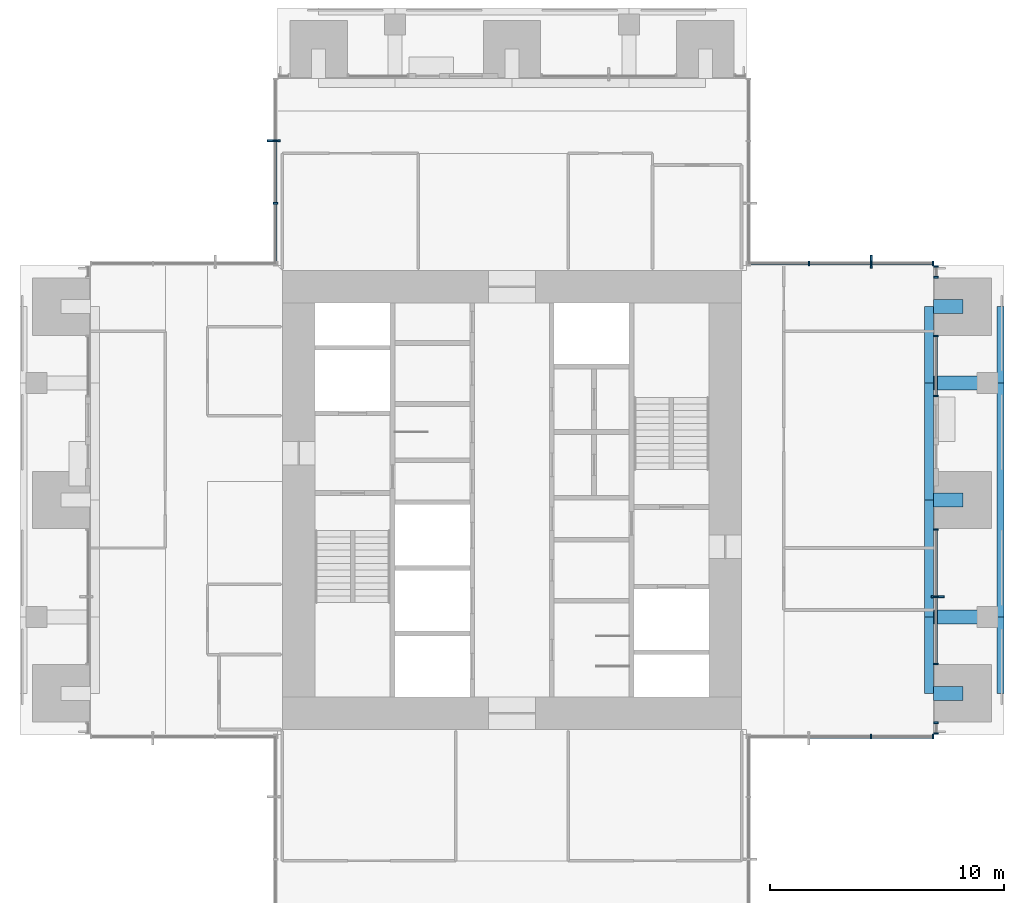
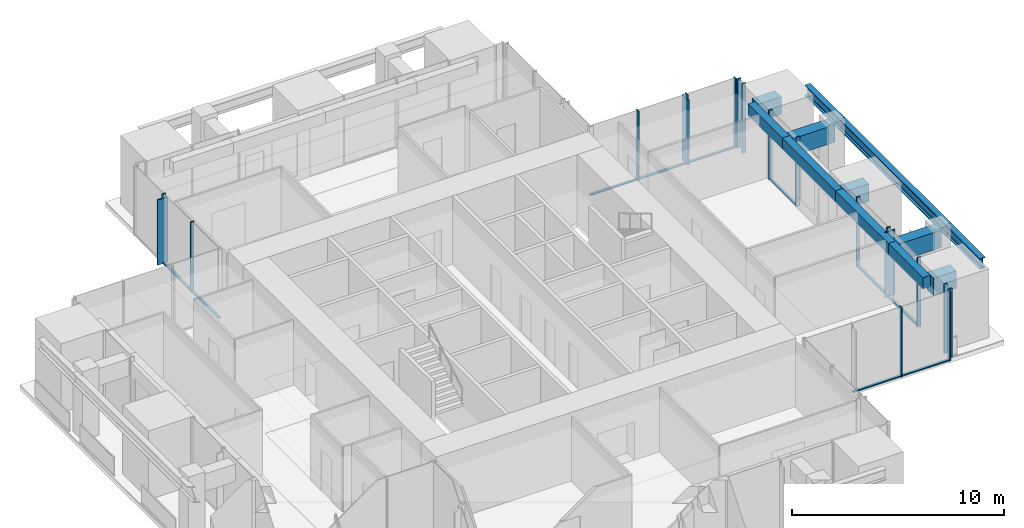
# One storey, part 4 of 17: 29 members, 12 beams, 7 elements without a shape of their own.
"""IFC4 building model written with IfcOpenShell, lengths in metres."""

from ifc_helpers import new_model, si_unit, direction, frame, origin, origin_2d, place, context, subcontext, project, spatial, rectangle, i_section, extrude, material, material_profile, profile_set, type_object, element, aggregate, save


model = new_model("IFC4")

# Units and contexts
model_context = context("Model", 3, precision=1e-05, world=origin(), true_north=direction((0.0, 1.0)))
body_context = subcontext(model_context, "Body", "Model", "MODEL_VIEW")
ifc_project = project(units=[si_unit("LENGTHUNIT", "METRE"), si_unit("AREAUNIT", "SQUARE_METRE"), si_unit("VOLUMEUNIT", "CUBIC_METRE"), si_unit("PLANEANGLEUNIT", "RADIAN"), si_unit("MASSUNIT", "GRAM", prefix="KILO")], contexts=[model_context])

# Site, building, storey
site_placement = place(None, origin())
site = spatial("IfcSite", under=ifc_project, at=site_placement, CompositionType="ELEMENT")
building_placement = place(site_placement, origin())
building = spatial("IfcBuilding", under=site, at=building_placement, Name="Svetlomir Tower", CompositionType="ELEMENT")
storey_placement = place(building_placement, frame((0.0, 0.0, 214.5)))
storey = spatial("IfcBuildingStorey", under=building, at=storey_placement, Name="L51", CompositionType="ELEMENT", Elevation=214.5)

# Curtain wall, member
ifc_material_1 = material(Name="Bronze anodised aluminium curtain wall", Category="aluminium")
curtain_wall_type = type_object("IfcCurtainWallType", Name="CURTAIN WALL CW1 TOWER OFFICE", PredefinedType="NOTDEFINED", material=ifc_material_1)
curtain_wall_1_placement = place(storey_placement, origin())
curtain_wall_1 = element("IfcCurtainWall", 1, at=curtain_wall_1_placement, inside=storey, type_object=curtain_wall_type, Name="Curtain wall CW1 L51", PredefinedType="NOTDEFINED")
ifc_material_2 = material(Name="Bronze anodised aluminium", Category="aluminium")
ifc_material_profile_1 = material_profile(ifc_material_2, rectangle(XDim=0.080078125, YDim=0.550048828125, at=origin_2d()), Name="FIN 80x550")
ifc_profile_set_1 = profile_set([ifc_material_profile_1], Name="Bronze anodised aluminium 6063-T6")
member_type_1 = type_object("IfcMemberType", Name="BRONZE FIN 80x550", PredefinedType="USERDEFINED", material=ifc_profile_set_1)
member_1_placement = place(storey_placement, frame((39.175048828125, 16.875, 0.0), z_axis=(0.0, 0.0, 1.0), x_axis=(0.0, 1.0, 0.0)))
member_1 = element("IfcMember", 2, at=member_1_placement, type_object=member_type_1, Name="Bronze fin L51", ObjectType="FIN", PredefinedType="USERDEFINED", context=body_context, shape_type="SweptSolid", body=[
    extrude(rectangle(XDim=0.080078125, YDim=0.550048828125, at=origin_2d()), origin(), (0.0, 0.0, 1.0), 3.75),
])

curtain_wall_2_placement = place(storey_placement, origin())
curtain_wall_2 = element("IfcCurtainWall", 3, at=curtain_wall_2_placement, inside=storey, type_object=curtain_wall_type, Name="Curtain wall CW1 L51", PredefinedType="NOTDEFINED")
member_2_placement = place(storey_placement, frame((36.333251953125, 31.175048828125, 0.0), z_axis=(0.0, 0.0, 1.0), x_axis=(1.0, 0.0, 0.0)))
member_2 = element("IfcMember", 4, at=member_2_placement, type_object=member_type_1, Name="Bronze fin L51", ObjectType="FIN", PredefinedType="USERDEFINED", context=body_context, shape_type="SweptSolid", body=[
    extrude(rectangle(XDim=0.080078125, YDim=0.550048828125, at=origin_2d()), origin(), (0.0, 0.0, 1.0), 3.75),
])

curtain_wall_3_placement = place(storey_placement, origin())
curtain_wall_3 = element("IfcCurtainWall", 5, at=curtain_wall_3_placement, inside=storey, type_object=curtain_wall_type, Name="Curtain wall CW1 L51", PredefinedType="NOTDEFINED")
member_3_placement = place(storey_placement, frame((10.824951171875, 36.333251953125, 0.0), z_axis=(0.0, 0.0, 1.0), x_axis=(0.0, 1.0, 0.0)))
member_3 = element("IfcMember", 6, at=member_3_placement, type_object=member_type_1, Name="Bronze fin L51", ObjectType="FIN", PredefinedType="USERDEFINED", context=body_context, shape_type="SweptSolid", body=[
    extrude(rectangle(XDim=0.080078125, YDim=0.550048828125, at=origin_2d()), origin(), (0.0, 0.0, 1.0), 3.75),
])

# Curtain wall, members
curtain_wall_4_placement = place(storey_placement, origin())
curtain_wall_4 = element("IfcCurtainWall", 7, at=curtain_wall_4_placement, inside=storey, type_object=curtain_wall_type, Name="Curtain wall CW1 L51", PredefinedType="NOTDEFINED")
ifc_material_3 = material(Name="Bronze anodised aluminium", Category="aluminium")
ifc_material_profile_2 = material_profile(ifc_material_3, rectangle(XDim=0.06494140625, YDim=0.199951171875, at=origin_2d()), Name="AL 65x200")
ifc_profile_set_2 = profile_set([ifc_material_profile_2], Name="Bronze anodised aluminium 6063-T6")
member_type_2 = type_object("IfcMemberType", Name="CW1 MULLION 65x200", PredefinedType="MULLION", material=ifc_profile_set_2)
member_4_placement = place(storey_placement, frame((36.333251953125, 10.89990234375, 0.0), z_axis=(0.0, 0.0, 1.0), x_axis=(1.0, 0.0, 0.0)))
member_4 = element("IfcMember", 8, at=member_4_placement, type_object=member_type_2, Name="CW1 mullion 3", PredefinedType="MULLION", context=body_context, shape_type="SweptSolid", body=[
    extrude(rectangle(XDim=0.06494140625, YDim=0.199951171875, at=origin_2d()), origin(), (0.0, 0.0, 1.0), 4.0),
])
member_5_placement = place(storey_placement, frame((38.967529296875, 10.89990234375, 0.0), z_axis=(0.0, 0.0, 1.0), x_axis=(1.0, 0.0, 0.0)))
member_5 = element("IfcMember", 9, at=member_5_placement, type_object=member_type_2, Name="CW1 mullion 4", PredefinedType="MULLION", context=body_context, shape_type="SweptSolid", body=[
    extrude(rectangle(XDim=0.06494140625, YDim=0.199951171875, at=origin_2d()), origin(), (0.0, 0.0, 1.0), 4.0),
])

curtain_wall_5_placement = place(storey_placement, origin())
curtain_wall_5 = element("IfcCurtainWall", 10, at=curtain_wall_5_placement, inside=storey, type_object=curtain_wall_type, Name="Curtain wall CW1 L51", PredefinedType="NOTDEFINED")
member_6_placement = place(storey_placement, frame((39.10009765625, 11.032470703125, 0.0), z_axis=(0.0, 0.0, 1.0), x_axis=(0.0, 1.0, 0.0)))
member_6 = element("IfcMember", 11, at=member_6_placement, type_object=member_type_2, Name="CW1 mullion 1", PredefinedType="MULLION", context=body_context, shape_type="SweptSolid", body=[
    extrude(rectangle(XDim=0.06494140625, YDim=0.199951171875, at=origin_2d()), origin(), (0.0, 0.0, 1.0), 4.0),
])
member_7_placement = place(storey_placement, frame((39.10009765625, 11.492431640625, 0.0), z_axis=(0.0, 0.0, 1.0), x_axis=(0.0, 1.0, 0.0)))
member_7 = element("IfcMember", 12, at=member_7_placement, type_object=member_type_2, Name="CW1 mullion 2", PredefinedType="MULLION", context=body_context, shape_type="SweptSolid", body=[
    extrude(rectangle(XDim=0.06494140625, YDim=0.199951171875, at=origin_2d()), origin(), (0.0, 0.0, 1.0), 4.0),
])
aggregate(curtain_wall_5, [member_6, member_7])

# Member
member_8_placement = place(storey_placement, frame((39.10009765625, 14.007568359375, 0.0), z_axis=(0.0, 0.0, 1.0), x_axis=(0.0, 1.0, 0.0)))
member_8 = element("IfcMember", 13, at=member_8_placement, type_object=member_type_2, Name="CW1 mullion 1", PredefinedType="MULLION", context=body_context, shape_type="SweptSolid", body=[
    extrude(rectangle(XDim=0.06494140625, YDim=0.199951171875, at=origin_2d()), origin(), (0.0, 0.0, 1.0), 4.0),
])

member_9_placement = place(storey_placement, frame((39.10009765625, 16.875, 0.0), z_axis=(0.0, 0.0, 1.0), x_axis=(0.0, 1.0, 0.0)))
member_9 = element("IfcMember", 14, at=member_9_placement, type_object=member_type_2, Name="CW1 mullion 2", PredefinedType="MULLION", context=body_context, shape_type="SweptSolid", body=[
    extrude(rectangle(XDim=0.06494140625, YDim=0.199951171875, at=origin_2d()), origin(), (0.0, 0.0, 1.0), 4.0),
])

member_10_placement = place(storey_placement, frame((39.10009765625, 19.742431640625, 0.0), z_axis=(0.0, 0.0, 1.0), x_axis=(0.0, 1.0, 0.0)))
member_10 = element("IfcMember", 15, at=member_10_placement, type_object=member_type_2, Name="CW1 mullion 3", PredefinedType="MULLION", context=body_context, shape_type="SweptSolid", body=[
    extrude(rectangle(XDim=0.06494140625, YDim=0.199951171875, at=origin_2d()), origin(), (0.0, 0.0, 1.0), 4.0),
])

# Curtain wall, members
curtain_wall_6_placement = place(storey_placement, origin())
curtain_wall_6 = element("IfcCurtainWall", 16, at=curtain_wall_6_placement, inside=storey, type_object=curtain_wall_type, Name="Curtain wall CW1 L51", PredefinedType="NOTDEFINED")
member_11_placement = place(storey_placement, frame((39.10009765625, 25.4326171875, 0.0), z_axis=(0.0, 0.0, 1.0), x_axis=(0.0, 1.0, 0.0)))
member_11 = element("IfcMember", 17, at=member_11_placement, type_object=member_type_2, Name="CW1 mullion 1", PredefinedType="MULLION", context=body_context, shape_type="SweptSolid", body=[
    extrude(rectangle(XDim=0.06494140625, YDim=0.199951171875, at=origin_2d()), origin(), (0.0, 0.0, 1.0), 4.0),
])
member_12_placement = place(storey_placement, frame((39.10009765625, 27.992431640625, 0.0), z_axis=(0.0, 0.0, 1.0), x_axis=(0.0, 1.0, 0.0)))
member_12 = element("IfcMember", 18, at=member_12_placement, type_object=member_type_2, Name="CW1 mullion 2", PredefinedType="MULLION", context=body_context, shape_type="SweptSolid", body=[
    extrude(rectangle(XDim=0.06494140625, YDim=0.199951171875, at=origin_2d()), origin(), (0.0, 0.0, 1.0), 4.0),
])

curtain_wall_7_placement = place(storey_placement, origin())
curtain_wall_7 = element("IfcCurtainWall", 19, at=curtain_wall_7_placement, inside=storey, type_object=curtain_wall_type, Name="Curtain wall CW1 L51", PredefinedType="NOTDEFINED")
member_13_placement = place(storey_placement, frame((39.10009765625, 30.507568359375, 0.0), z_axis=(0.0, 0.0, 1.0), x_axis=(0.0, 1.0, 0.0)))
member_13 = element("IfcMember", 20, at=member_13_placement, type_object=member_type_2, Name="CW1 mullion 1", PredefinedType="MULLION", context=body_context, shape_type="SweptSolid", body=[
    extrude(rectangle(XDim=0.06494140625, YDim=0.199951171875, at=origin_2d()), origin(), (0.0, 0.0, 1.0), 4.0),
])
member_14_placement = place(storey_placement, frame((39.10009765625, 30.967529296875, 0.0), z_axis=(0.0, 0.0, 1.0), x_axis=(0.0, 1.0, 0.0)))
member_14 = element("IfcMember", 21, at=member_14_placement, type_object=member_type_2, Name="CW1 mullion 2", PredefinedType="MULLION", context=body_context, shape_type="SweptSolid", body=[
    extrude(rectangle(XDim=0.06494140625, YDim=0.199951171875, at=origin_2d()), origin(), (0.0, 0.0, 1.0), 4.0),
])
aggregate(curtain_wall_7, [member_13, member_14])

# Member
member_15_placement = place(storey_placement, frame((38.967529296875, 31.10009765625, 0.0), z_axis=(0.0, 0.0, 1.0), x_axis=(-1.0, 0.0, 0.0)))
member_15 = element("IfcMember", 22, at=member_15_placement, type_object=member_type_2, Name="CW1 mullion 1", PredefinedType="MULLION", context=body_context, shape_type="SweptSolid", body=[
    extrude(rectangle(XDim=0.06494140625, YDim=0.199951171875, at=origin_2d()), origin(), (0.0, 0.0, 1.0), 4.0),
])

member_16_placement = place(storey_placement, frame((36.333251953125, 31.10009765625, 0.0), z_axis=(0.0, 0.0, 1.0), x_axis=(-1.0, 0.0, 0.0)))
member_16 = element("IfcMember", 23, at=member_16_placement, type_object=member_type_2, Name="CW1 mullion 2", PredefinedType="MULLION", context=body_context, shape_type="SweptSolid", body=[
    extrude(rectangle(XDim=0.06494140625, YDim=0.199951171875, at=origin_2d()), origin(), (0.0, 0.0, 1.0), 4.0),
])

member_17_placement = place(storey_placement, frame((33.666748046875, 31.10009765625, 0.0), z_axis=(0.0, 0.0, 1.0), x_axis=(-1.0, 0.0, 0.0)))
member_17 = element("IfcMember", 24, at=member_17_placement, type_object=member_type_2, Name="CW1 mullion 3", PredefinedType="MULLION", context=body_context, shape_type="SweptSolid", body=[
    extrude(rectangle(XDim=0.06494140625, YDim=0.199951171875, at=origin_2d()), origin(), (0.0, 0.0, 1.0), 4.0),
])

member_18_placement = place(storey_placement, frame((10.89990234375, 36.333251953125, 0.0), z_axis=(0.0, 0.0, 1.0), x_axis=(0.0, -1.0, 0.0)))
member_18 = element("IfcMember", 25, at=member_18_placement, type_object=member_type_2, Name="CW1 mullion 2", PredefinedType="MULLION", context=body_context, shape_type="SweptSolid", body=[
    extrude(rectangle(XDim=0.06494140625, YDim=0.199951171875, at=origin_2d()), origin(), (0.0, 0.0, 1.0), 4.0),
])

member_19_placement = place(storey_placement, frame((10.89990234375, 33.666748046875, 0.0), z_axis=(0.0, 0.0, 1.0), x_axis=(0.0, -1.0, 0.0)))
member_19 = element("IfcMember", 26, at=member_19_placement, type_object=member_type_2, Name="CW1 mullion 3", PredefinedType="MULLION", context=body_context, shape_type="SweptSolid", body=[
    extrude(rectangle(XDim=0.06494140625, YDim=0.199951171875, at=origin_2d()), origin(), (0.0, 0.0, 1.0), 4.0),
])

ifc_material_4 = material(Name="Bronze anodised aluminium", Category="aluminium")
ifc_material_profile_3 = material_profile(ifc_material_4, rectangle(XDim=0.139892578125, YDim=0.06494140625, at=origin_2d()), Name="AL 140x65")
ifc_profile_set_3 = profile_set([ifc_material_profile_3], Name="Bronze anodised aluminium 6063-T6")
member_type_3 = type_object("IfcMemberType", Name="CW1 TRANSOM 65x140", PredefinedType="USERDEFINED", material=ifc_profile_set_3)
member_20_placement = place(storey_placement, frame((33.69921875, 10.89990234375, 0.032470703125), z_axis=(1.0, 0.0, 0.0), x_axis=(0.0, 1.0, 0.0)))
member_20 = element("IfcMember", 27, at=member_20_placement, type_object=member_type_3, Name="CW1 transom 2.1", ObjectType="TRANSOM", PredefinedType="USERDEFINED", context=body_context, shape_type="SweptSolid", body=[
    extrude(rectangle(XDim=0.139892578125, YDim=0.06494140625, at=origin_2d()), origin(), (0.0, 0.0, 1.0), 2.6015625),
])

member_21_placement = place(storey_placement, frame((36.36572265625, 10.89990234375, 0.032470703125), z_axis=(1.0, 0.0, 0.0), x_axis=(0.0, 1.0, 0.0)))
member_21 = element("IfcMember", 28, at=member_21_placement, type_object=member_type_3, Name="CW1 transom 3.1", ObjectType="TRANSOM", PredefinedType="USERDEFINED", context=body_context, shape_type="SweptSolid", body=[
    extrude(rectangle(XDim=0.139892578125, YDim=0.06494140625, at=origin_2d()), origin(), (0.0, 0.0, 1.0), 2.5693359375),
])

aggregate(curtain_wall_4, [member_4, member_5, member_20, member_21])

member_22_placement = place(storey_placement, frame((39.10009765625, 14.0400390625, 0.032470703125), z_axis=(0.0, 1.0, 0.0), x_axis=(-1.0, 0.0, 0.0)))
member_22 = element("IfcMember", 29, at=member_22_placement, type_object=member_type_3, Name="CW1 transom 1.1", ObjectType="TRANSOM", PredefinedType="USERDEFINED", context=body_context, shape_type="SweptSolid", body=[
    extrude(rectangle(XDim=0.139892578125, YDim=0.06494140625, at=origin_2d()), origin(), (0.0, 0.0, 1.0), 2.802490234375),
])

member_23_placement = place(storey_placement, frame((39.10009765625, 16.907470703125, 0.032470703125), z_axis=(0.0, 1.0, 0.0), x_axis=(-1.0, 0.0, 0.0)))
member_23 = element("IfcMember", 30, at=member_23_placement, type_object=member_type_3, Name="CW1 transom 2.1", ObjectType="TRANSOM", PredefinedType="USERDEFINED", context=body_context, shape_type="SweptSolid", body=[
    extrude(rectangle(XDim=0.139892578125, YDim=0.06494140625, at=origin_2d()), origin(), (0.0, 0.0, 1.0), 2.802490234375),
])

aggregate(curtain_wall_1, [member_8, member_9, member_10, member_22, member_23, member_1])

member_24_placement = place(storey_placement, frame((39.10009765625, 25.465087890625, 0.032470703125), z_axis=(0.0, 1.0, 0.0), x_axis=(-1.0, 0.0, 0.0)))
member_24 = element("IfcMember", 31, at=member_24_placement, type_object=member_type_3, Name="CW1 transom 1.1", ObjectType="TRANSOM", PredefinedType="USERDEFINED", context=body_context, shape_type="SweptSolid", body=[
    extrude(rectangle(XDim=0.139892578125, YDim=0.06494140625, at=origin_2d()), origin(), (0.0, 0.0, 1.0), 2.494873046875),
])

aggregate(curtain_wall_6, [member_11, member_12, member_24])

member_25_placement = place(storey_placement, frame((38.93505859375, 31.10009765625, 0.032470703125), z_axis=(-1.0, 0.0, 0.0), x_axis=(0.0, -1.0, 0.0)))
member_25 = element("IfcMember", 32, at=member_25_placement, type_object=member_type_3, Name="CW1 transom 1.1", ObjectType="TRANSOM", PredefinedType="USERDEFINED", context=body_context, shape_type="SweptSolid", body=[
    extrude(rectangle(XDim=0.139892578125, YDim=0.06494140625, at=origin_2d()), origin(), (0.0, 0.0, 1.0), 2.5693359375),
])

member_26_placement = place(storey_placement, frame((36.30078125, 31.10009765625, 0.032470703125), z_axis=(-1.0, 0.0, 0.0), x_axis=(0.0, -1.0, 0.0)))
member_26 = element("IfcMember", 33, at=member_26_placement, type_object=member_type_3, Name="CW1 transom 2.1", ObjectType="TRANSOM", PredefinedType="USERDEFINED", context=body_context, shape_type="SweptSolid", body=[
    extrude(rectangle(XDim=0.139892578125, YDim=0.06494140625, at=origin_2d()), origin(), (0.0, 0.0, 1.0), 2.6015625),
])

member_27_placement = place(storey_placement, frame((33.63427734375, 31.10009765625, 0.032470703125), z_axis=(-1.0, 0.0, 0.0), x_axis=(0.0, -1.0, 0.0)))
member_27 = element("IfcMember", 34, at=member_27_placement, type_object=member_type_3, Name="CW1 transom 3.1", ObjectType="TRANSOM", PredefinedType="USERDEFINED", context=body_context, shape_type="SweptSolid", body=[
    extrude(rectangle(XDim=0.139892578125, YDim=0.06494140625, at=origin_2d()), origin(), (0.0, 0.0, 1.0), 2.5693359375),
])

aggregate(curtain_wall_2, [member_15, member_16, member_17, member_25, member_26, member_27, member_2])

member_28_placement = place(storey_placement, frame((10.89990234375, 36.30078125, 0.032470703125), z_axis=(0.0, -1.0, 0.0), x_axis=(1.0, 0.0, 0.0)))
member_28 = element("IfcMember", 35, at=member_28_placement, type_object=member_type_3, Name="CW1 transom 2.1", ObjectType="TRANSOM", PredefinedType="USERDEFINED", context=body_context, shape_type="SweptSolid", body=[
    extrude(rectangle(XDim=0.139892578125, YDim=0.06494140625, at=origin_2d()), origin(), (0.0, 0.0, 1.0), 2.6015625),
])

member_29_placement = place(storey_placement, frame((10.89990234375, 33.63427734375, 0.032470703125), z_axis=(0.0, -1.0, 0.0), x_axis=(1.0, 0.0, 0.0)))
member_29 = element("IfcMember", 36, at=member_29_placement, type_object=member_type_3, Name="CW1 transom 3.1", ObjectType="TRANSOM", PredefinedType="USERDEFINED", context=body_context, shape_type="SweptSolid", body=[
    extrude(rectangle(XDim=0.139892578125, YDim=0.06494140625, at=origin_2d()), origin(), (0.0, 0.0, 1.0), 2.5693359375),
])

aggregate(curtain_wall_3, [member_18, member_19, member_28, member_29, member_3])

# Beams
ifc_material_5 = material(Name="Steel S355", Category="steel")
ifc_material_profile_4 = material_profile(ifc_material_5, i_section(OverallWidth=0.304931640625, OverallDepth=0.6201171875, WebThickness=0.02099609375, FlangeThickness=0.0400390625, FilletRadius=0.027099609375, at=origin_2d()), Name="HEM 600")
ifc_profile_set_4 = profile_set([ifc_material_profile_4], Name="Steel S355")
beam_type_1 = type_object("IfcBeamType", Name="EDGE BEAM HEM 600", PredefinedType="SPANDREL", material=ifc_profile_set_4)
beam_1_placement = place(storey_placement, frame((41.847412109375, 12.75, 3.43994140625), z_axis=(0.0, 1.0, 0.0), x_axis=(-1.0, 0.0, 0.0)))
element("IfcBeam", 37, at=beam_1_placement, inside=storey, type_object=beam_type_1, Name="Edge beam 42/11 to 42/16 under L52", PredefinedType="SPANDREL", context=body_context, shape_type="SweptSolid", body=[
    extrude(i_section(OverallWidth=0.304931640625, OverallDepth=0.6201171875, WebThickness=0.02099609375, FlangeThickness=0.0400390625, FilletRadius=0.027099609375, at=origin_2d()), origin(), (0.0, 0.0, 1.0), 3.25),
])
beam_2_placement = place(storey_placement, frame((41.847412109375, 16.0, 3.43994140625), z_axis=(0.0, 1.0, 0.0), x_axis=(-1.0, 0.0, 0.0)))
element("IfcBeam", 38, at=beam_2_placement, inside=storey, type_object=beam_type_1, Name="Edge beam 42/16 to 42/26 under L52", PredefinedType="SPANDREL", context=body_context, shape_type="SweptSolid", body=[
    extrude(i_section(OverallWidth=0.304931640625, OverallDepth=0.6201171875, WebThickness=0.02099609375, FlangeThickness=0.0400390625, FilletRadius=0.027099609375, at=origin_2d()), origin(), (0.0, 0.0, 1.0), 10.0),
])
beam_3_placement = place(storey_placement, frame((41.847412109375, 26.0, 3.43994140625), z_axis=(0.0, 1.0, 0.0), x_axis=(-1.0, 0.0, 0.0)))
element("IfcBeam", 39, at=beam_3_placement, inside=storey, type_object=beam_type_1, Name="Edge beam 42/26 to 42/31 under L52", PredefinedType="SPANDREL", context=body_context, shape_type="SweptSolid", body=[
    extrude(i_section(OverallWidth=0.304931640625, OverallDepth=0.6201171875, WebThickness=0.02099609375, FlangeThickness=0.0400390625, FilletRadius=0.027099609375, at=origin_2d()), origin(), (0.0, 0.0, 1.0), 3.25),
])
ifc_material_6 = material(Name="Concrete C60/75", Category="concrete")
ifc_material_profile_5 = material_profile(ifc_material_6, rectangle(XDim=0.39990234375, YDim=0.64990234375, at=origin_2d()), Name="RC 400x650")
ifc_profile_set_5 = profile_set([ifc_material_profile_5], Name="Concrete C60/75")
beam_type_2 = type_object("IfcBeamType", Name="FACADE EDGE BEAM RC 400x650", PredefinedType="BEAM", material=ifc_profile_set_5)
beam_4_placement = place(storey_placement, frame((38.800048828125, 12.75, 3.425048828125), z_axis=(0.0, 1.0, 0.0), x_axis=(-1.0, 0.0, 0.0)))
element("IfcBeam", 40, at=beam_4_placement, inside=storey, type_object=beam_type_2, Name="Facade edge beam E 11 to 16 under L52", PredefinedType="BEAM", context=body_context, shape_type="SweptSolid", body=[
    extrude(rectangle(XDim=0.39990234375, YDim=0.64990234375, at=origin_2d()), origin(), (0.0, 0.0, 1.0), 3.25),
])
for number, where, z_axis, x_axis, name in (
    (41, (38.800048828125, 16.0, 3.425048828125), (0.0, 1.0, 0.0), (-1.0, 0.0, 0.0), "Facade edge beam E 16 to 21 under L52"),
    (42, (38.800048828125, 21.0, 3.425048828125), (0.0, 1.0, 0.0), (-1.0, 0.0, 0.0), "Facade edge beam E 21 to 26 under L52"),
):
    element("IfcBeam", number, at=place(storey_placement, frame(where, z_axis=z_axis, x_axis=x_axis)), inside=storey, type_object=beam_type_2, Name=name, PredefinedType="BEAM", context=body_context, shape_type="SweptSolid", body=[
        extrude(rectangle(XDim=0.39990234375, YDim=0.64990234375, at=origin_2d()), origin(), (0.0, 0.0, 1.0), 5.0),
    ])
beam_5_placement = place(storey_placement, frame((38.800048828125, 26.0, 3.425048828125), z_axis=(0.0, 1.0, 0.0), x_axis=(-1.0, 0.0, 0.0)))
element("IfcBeam", 43, at=beam_5_placement, inside=storey, type_object=beam_type_2, Name="Facade edge beam E 26 to 31 under L52", PredefinedType="BEAM", context=body_context, shape_type="SweptSolid", body=[
    extrude(rectangle(XDim=0.39990234375, YDim=0.64990234375, at=origin_2d()), origin(), (0.0, 0.0, 1.0), 3.25),
])
ifc_material_7 = material(Name="Concrete C60/75", Category="concrete")
ifc_material_profile_6 = material_profile(ifc_material_7, rectangle(XDim=0.60009765625, YDim=1.0, at=origin_2d()), Name="RC 600x1000")
ifc_profile_set_6 = profile_set([ifc_material_profile_6], Name="Concrete C60/75")
beam_type_3 = type_object("IfcBeamType", Name="LOGGIA LINK BEAM RC 600x1000", PredefinedType="BEAM", material=ifc_profile_set_6)
beam_6_placement = place(storey_placement, frame((40.25, 12.75, 3.25), z_axis=(-1.0, 0.0, 0.0), x_axis=(0.0, -1.0, 0.0)))
element("IfcBeam", 44, at=beam_6_placement, inside=storey, type_object=beam_type_3, Name="Loggia link beam E 11 under L52", PredefinedType="BEAM", context=body_context, shape_type="SweptSolid", body=[
    extrude(rectangle(XDim=0.60009765625, YDim=1.0, at=origin_2d()), origin(), (0.0, 0.0, 1.0), 1.25),
])
beam_7_placement = place(storey_placement, frame((41.300048828125, 16.0, 3.25), z_axis=(-1.0, 0.0, 0.0), x_axis=(0.0, -1.0, 0.0)))
element("IfcBeam", 45, at=beam_7_placement, inside=storey, type_object=beam_type_3, Name="Loggia link beam E 16 under L52", PredefinedType="BEAM", context=body_context, shape_type="SweptSolid", body=[
    extrude(rectangle(XDim=0.60009765625, YDim=1.0, at=origin_2d()), origin(), (0.0, 0.0, 1.0), 2.300048828125),
])
beam_8_placement = place(storey_placement, frame((40.25, 21.0, 3.25), z_axis=(-1.0, 0.0, 0.0), x_axis=(0.0, -1.0, 0.0)))
element("IfcBeam", 46, at=beam_8_placement, inside=storey, type_object=beam_type_3, Name="Loggia link beam E 21 under L52", PredefinedType="BEAM", context=body_context, shape_type="SweptSolid", body=[
    extrude(rectangle(XDim=0.60009765625, YDim=1.0, at=origin_2d()), origin(), (0.0, 0.0, 1.0), 1.25),
])
beam_9_placement = place(storey_placement, frame((41.300048828125, 26.0, 3.25), z_axis=(-1.0, 0.0, 0.0), x_axis=(0.0, -1.0, 0.0)))
element("IfcBeam", 47, at=beam_9_placement, inside=storey, type_object=beam_type_3, Name="Loggia link beam E 26 under L52", PredefinedType="BEAM", context=body_context, shape_type="SweptSolid", body=[
    extrude(rectangle(XDim=0.60009765625, YDim=1.0, at=origin_2d()), origin(), (0.0, 0.0, 1.0), 2.300048828125),
])
beam_10_placement = place(storey_placement, frame((40.25, 29.25, 3.25), z_axis=(-1.0, 0.0, 0.0), x_axis=(0.0, -1.0, 0.0)))
element("IfcBeam", 48, at=beam_10_placement, inside=storey, type_object=beam_type_3, Name="Loggia link beam E 31 under L52", PredefinedType="BEAM", context=body_context, shape_type="SweptSolid", body=[
    extrude(rectangle(XDim=0.60009765625, YDim=1.0, at=origin_2d()), origin(), (0.0, 0.0, 1.0), 1.25),
])

save(model, "model.ifc")
